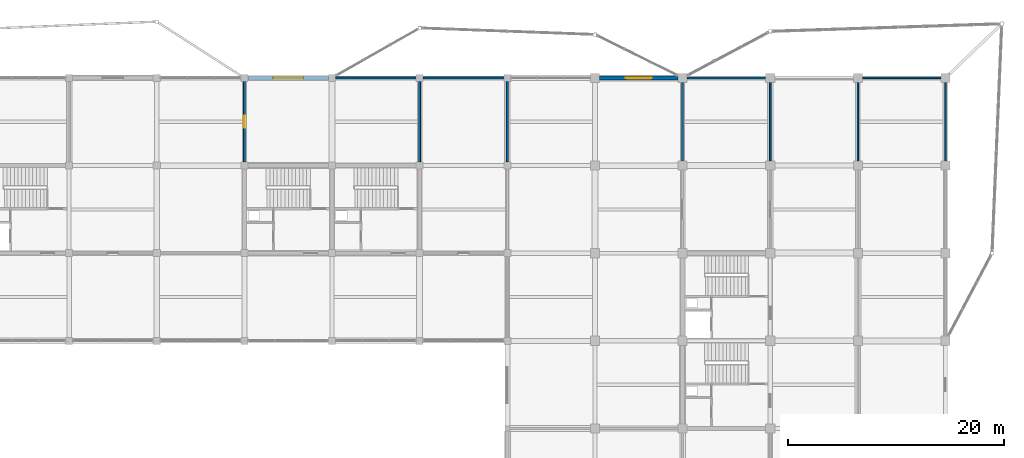
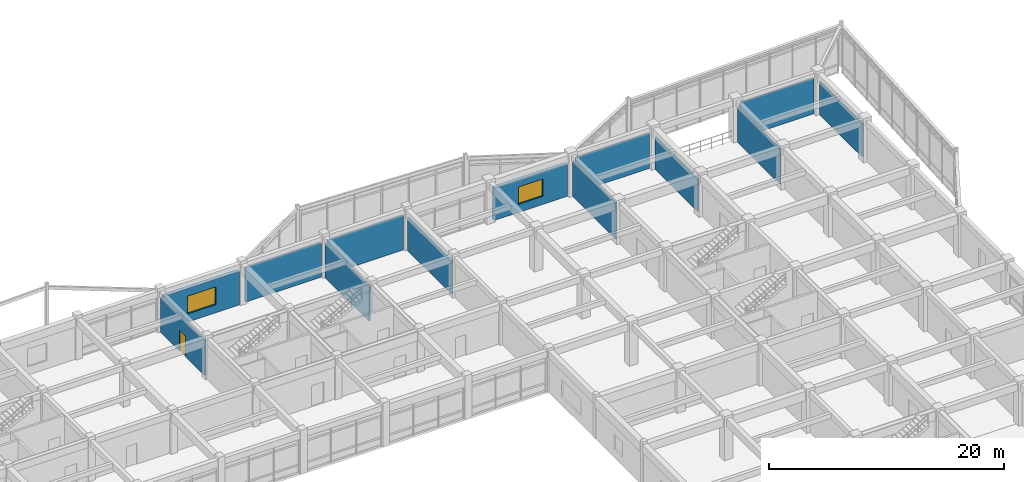
# One storey, part 74 of 93: 13 walls, 2 windows, 1 door, 3 openings.
"""IFC4 building model written with IfcOpenShell, lengths in metres."""

from ifc_helpers import new_model, si_unit, direction, frame, frame_2d, origin, place, context, subcontext, project, spatial, rectangle, extrude, material, layer, layer_set, type_object, element, fill, save


model = new_model("IFC4")

# Units and contexts
model_context = context("Model", 3, precision=1e-05, world=origin(), true_north=direction((0.0, 1.0)))
body_context = subcontext(model_context, "Body", "Model", "MODEL_VIEW")
ifc_project = project(units=[si_unit("LENGTHUNIT", "METRE"), si_unit("AREAUNIT", "SQUARE_METRE"), si_unit("VOLUMEUNIT", "CUBIC_METRE"), si_unit("PLANEANGLEUNIT", "RADIAN"), si_unit("MASSUNIT", "GRAM", prefix="KILO")], contexts=[model_context])

# Site, building, storey
site_placement = place(None, origin())
site = spatial("IfcSite", under=ifc_project, at=site_placement, CompositionType="ELEMENT")
building_placement = place(site_placement, origin())
building = spatial("IfcBuilding", under=site, at=building_placement, Name="Vaudrelin Polytechnic", CompositionType="ELEMENT")
storey_placement = place(building_placement, frame((0.0, 0.0, 5.10009765625)))
storey = spatial("IfcBuildingStorey", under=building, at=storey_placement, Name="L01", CompositionType="ELEMENT", Elevation=5.10009765625)

# Wall, opening, window
ifc_material_1 = material(Name="Precast concrete 35 MPa with terracotta baguette screen", Category="masonry")
ifc_layer_1 = layer(ifc_material_1, 0.35009765625)
ifc_layer_set_1 = layer_set([ifc_layer_1], Name="Precast concrete 35 MPa with terracotta baguette screen")
wall_type_1 = type_object("IfcWallType", Name="WAL-EW-TERR350", PredefinedType="STANDARD", material=ifc_layer_set_1)
wall_1_placement = place(storey_placement, frame((138.123046875, 121.5, 0.0), z_axis=(0.0, 0.0, 1.0), x_axis=(1.0, 0.0, 0.0)))
wall_1 = element("IfcWall", 1, at=wall_1_placement, inside=storey, type_object=wall_type_1, Name="Exterior wall L01 N_V4_01", PredefinedType="STANDARD", context=body_context, shape_type="SweptSolid", body=[
    extrude(rectangle(XDim=7.25390625, YDim=0.35009765625, at=frame_2d((3.626953125, 0.0))), origin(), (0.0, 0.0, 1.0), 3.36181640625),
])
opening_1_placement = place(wall_1_placement, frame((2.427001953125, 0.0, 0.85009765625)))
opening_1 = element("IfcOpeningElement", 2, at=opening_1_placement, cuts=wall_1, Name="Opening W-L01-N-V4-02", PredefinedType="OPENING", context=body_context, shape_type="SweptSolid", body=[
    extrude(rectangle(XDim=2.39990234375, YDim=1.800048828125, at=frame_2d((1.199951171875, 0.89990234375))), frame((0.0, 0.18505859375, 0.0), z_axis=(0.0, -1.0, 0.0), x_axis=(1.0, 0.0, 0.0)), (0.0, 0.0, 1.0), 0.3701171875),
])
ifc_material_2 = material(Name="Thermally broken aluminium frame with triple low-e glazing", Category="aluminium")
window_type_1 = type_object("IfcWindowType", Name="WIN-WN-01", PartitioningType="SINGLE_PANEL", PredefinedType="WINDOW", material=ifc_material_2)
window_1_placement = place(opening_1_placement, origin())
window_1 = element("IfcWindow", 3, at=window_1_placement, inside=storey, type_object=window_type_1, Name="Facade window L01-N_V4_01", OverallHeight=1.800048828125, OverallWidth=2.39990234375, PartitioningType="SINGLE_PANEL", PredefinedType="WINDOW", context=body_context, shape_type="SweptSolid", body=[
    extrude(rectangle(XDim=2.39990234375, YDim=1.800048828125, at=frame_2d((1.199951171875, 0.89990234375))), frame((0.0, 0.030029296875, 0.0), z_axis=(0.0, -1.0, 0.0), x_axis=(1.0, 0.0, 0.0)), (0.0, 0.0, 1.0), 0.06005859375),
])
fill(opening_1, window_1)

ifc_material_3 = material(Name="Precast concrete 35 MPa with standing-seam zinc rainscreen", Category="concrete")
ifc_layer_2 = layer(ifc_material_3, 0.360107421875)
ifc_layer_set_2 = layer_set([ifc_layer_2], Name="Precast concrete 35 MPa with standing-seam zinc rainscreen")
wall_type_2 = type_object("IfcWallType", Name="WAL-EW-ZINC360", PredefinedType="STANDARD", material=ifc_layer_set_2)
wall_2_placement = place(storey_placement, frame((105.623046875, 121.5, 0.0), z_axis=(0.0, 0.0, 1.0), x_axis=(1.0, 0.0, 0.0)))
wall_2 = element("IfcWall", 4, at=wall_2_placement, inside=storey, type_object=wall_type_2, Name="Exterior wall L01 N_V5_13", PredefinedType="STANDARD", context=body_context, shape_type="SweptSolid", body=[
    extrude(rectangle(XDim=7.453857421875, YDim=0.360107421875, at=frame_2d((3.72705078125, 0.0))), origin(), (0.0, 0.0, 1.0), 3.501953125),
])
opening_2_placement = place(wall_2_placement, frame((2.326904296875, 0.0, 0.85009765625)))
opening_2 = element("IfcOpeningElement", 5, at=opening_2_placement, cuts=wall_2, Name="Opening W-L01-N-V5-14", PredefinedType="OPENING", context=body_context, shape_type="SweptSolid", body=[
    extrude(rectangle(XDim=2.800048828125, YDim=1.85009765625, at=frame_2d((1.39990234375, 0.925048828125))), frame((0.0, 0.18994140625, 0.0), z_axis=(0.0, -1.0, 0.0), x_axis=(1.0, 0.0, 0.0)), (0.0, 0.0, 1.0), 0.380126953125),
])
window_type_2 = type_object("IfcWindowType", Name="WIN-WN-48", PartitioningType="SINGLE_PANEL", PredefinedType="WINDOW", material=ifc_material_2)
window_2_placement = place(opening_2_placement, origin())
window_2 = element("IfcWindow", 6, at=window_2_placement, inside=storey, type_object=window_type_2, Name="Facade window L01-N_V5_13", OverallHeight=1.85009765625, OverallWidth=2.800048828125, PartitioningType="SINGLE_PANEL", PredefinedType="WINDOW", context=body_context, shape_type="SweptSolid", body=[
    extrude(rectangle(XDim=2.800048828125, YDim=1.85009765625, at=frame_2d((1.39990234375, 0.925048828125))), frame((0.0, 0.030029296875, 0.0), z_axis=(0.0, -1.0, 0.0), x_axis=(1.0, 0.0, 0.0)), (0.0, 0.0, 1.0), 0.06005859375),
])
fill(opening_2, window_2)

# Wall, opening, door
ifc_material_4 = material(Name="Acoustic double-stud gypsum & mineral-wool partition", Category="gypsum")
ifc_layer_3 = layer(ifc_material_4, 0.179931640625)
ifc_layer_set_3 = layer_set([ifc_layer_3], Name="Acoustic double-stud gypsum & mineral-wool partition")
wall_type_3 = type_object("IfcWallType", Name="WAL-PW-AC180", PredefinedType="PARTITIONING", material=ifc_layer_set_3)
wall_3_placement = place(storey_placement, frame((105.300048828125, 113.722900390625, 0.0), z_axis=(0.0, 0.0, 1.0), x_axis=(0.0, 1.0, 0.0)))
wall_3 = element("IfcWall", 7, at=wall_3_placement, inside=storey, type_object=wall_type_3, Name="Partition L01-019 E", PredefinedType="PARTITIONING", context=body_context, shape_type="SweptSolid", body=[
    extrude(rectangle(XDim=7.4541015625, YDim=0.179931640625, at=frame_2d((3.72705078125, 0.0))), origin(), (0.0, 0.0, 1.0), 3.65185546875),
])
opening_3_placement = place(wall_3_placement, frame((3.18701171875, 0.0, 0.0)))
opening_3 = element("IfcOpeningElement", 8, at=opening_3_placement, cuts=wall_3, Name="Opening D-L01-470", PredefinedType="OPENING", context=body_context, shape_type="SweptSolid", body=[
    extrude(rectangle(XDim=1.080078125, YDim=2.14990234375, at=frame_2d((0.5400390625, 1.074951171875))), frame((0.0, 0.10009765625, 0.0), z_axis=(0.0, -1.0, 0.0), x_axis=(1.0, 0.0, 0.0)), (0.0, 0.0, 1.0), 0.199951171875),
])
ifc_material_5 = material(Name="Solid-core birch veneer acoustic leaf", Category="wood")
door_type = type_object("IfcDoorType", Name="DOR-ID-SEM2", OperationType="NOTDEFINED", PredefinedType="DOOR", material=ifc_material_5)
door_placement = place(opening_3_placement, origin())
door = element("IfcDoor", 9, at=door_placement, inside=storey, type_object=door_type, Name="Seminar Collaboration Alcove 102 door L01-037", OperationType="SINGLE_SWING_LEFT", OverallHeight=2.14990234375, OverallWidth=1.080078125, PredefinedType="DOOR", context=body_context, shape_type="SweptSolid", body=[
    extrude(rectangle(XDim=1.080078125, YDim=2.14990234375, at=frame_2d((0.5400390625, 1.074951171875))), frame((0.0, 0.02490234375, 0.0), z_axis=(0.0, -1.0, 0.0), x_axis=(1.0, 0.0, 0.0)), (0.0, 0.0, 1.0), 0.050048828125),
])
fill(opening_3, door)

# Walls
wall_4_placement = place(storey_placement, frame((129.60009765625, 113.722900390625, 0.0), z_axis=(0.0, 0.0, 1.0), x_axis=(0.0, 1.0, 0.0)))
element("IfcWall", 10, at=wall_4_placement, inside=storey, type_object=wall_type_3, Name="Partition L01-020 E", PredefinedType="PARTITIONING", context=body_context, shape_type="SweptSolid", body=[
    extrude(rectangle(XDim=7.4541015625, YDim=0.179931640625, at=frame_2d((3.72705078125, 0.0))), origin(), (0.0, 0.0, 1.0), 3.40185546875),
])
for number, where, z_axis, x_axis, name in (
    (11, (121.5, 113.722900390625, 0.0), (0.0, 0.0, 1.0), (0.0, 1.0, 0.0), "Partition L01-020 W"),
    (12, (121.822998046875, 121.5, 0.0), (0.0, 0.0, 1.0), (1.0, 0.0, 0.0), "Partition L01-020 N"),
    (13, (113.722900390625, 121.5, 0.0), (0.0, 0.0, 1.0), (1.0, 0.0, 0.0), "Partition L01-037 N"),
):
    element("IfcWall", number, at=place(storey_placement, frame(where, z_axis=z_axis, x_axis=x_axis)), inside=storey, type_object=wall_type_3, Name=name, PredefinedType="PARTITIONING", context=body_context, shape_type="SweptSolid", body=[
        extrude(rectangle(XDim=7.4541015625, YDim=0.179931640625, at=frame_2d((3.72705078125, 0.0))), origin(), (0.0, 0.0, 1.0), 3.601806640625),
    ])
ifc_material_6 = material(Name="Moisture- and chemical-resistant laboratory partition", Category="gypsum")
ifc_layer_4 = layer(ifc_material_6, 0.159912109375)
ifc_layer_set_4 = layer_set([ifc_layer_4], Name="Moisture- and chemical-resistant laboratory partition")
wall_type_4 = type_object("IfcWallType", Name="WAL-PW-LAB160", PredefinedType="PARTITIONING", material=ifc_layer_set_4)
wall_5_placement = place(storey_placement, frame((145.800048828125, 113.822998046875, 0.0), z_axis=(0.0, 0.0, 1.0), x_axis=(0.0, 1.0, 0.0)))
element("IfcWall", 14, at=wall_5_placement, inside=storey, type_object=wall_type_4, Name="Partition L01-025 E", PredefinedType="PARTITIONING", context=body_context, shape_type="SweptSolid", body=[
    extrude(rectangle(XDim=7.25390625, YDim=0.159912109375, at=frame_2d((3.626953125, 0.0))), origin(), (0.0, 0.0, 1.0), 3.7119140625),
])
wall_6_placement = place(storey_placement, frame((153.89990234375, 113.822998046875, 0.0), z_axis=(0.0, 0.0, 1.0), x_axis=(0.0, 1.0, 0.0)))
element("IfcWall", 15, at=wall_6_placement, inside=storey, type_object=wall_type_4, Name="Partition L01-026 E", PredefinedType="PARTITIONING", context=body_context, shape_type="SweptSolid", body=[
    extrude(rectangle(XDim=7.25390625, YDim=0.159912109375, at=frame_2d((3.626953125, 0.0))), origin(), (0.0, 0.0, 1.0), 3.36181640625),
])
wall_7_placement = place(storey_placement, frame((146.222900390625, 121.5, 0.0), z_axis=(0.0, 0.0, 1.0), x_axis=(1.0, 0.0, 0.0)))
element("IfcWall", 16, at=wall_7_placement, inside=storey, type_object=wall_type_4, Name="Partition L01-026 N", PredefinedType="PARTITIONING", context=body_context, shape_type="SweptSolid", body=[
    extrude(rectangle(XDim=7.254150390625, YDim=0.159912109375, at=frame_2d((3.626953125, 0.0))), origin(), (0.0, 0.0, 1.0), 3.661865234375),
])
ifc_material_7 = material(Name="Acoustic steel-stud office & study room partition", Category="steel")
ifc_layer_5 = layer(ifc_material_7, 0.135009765625)
ifc_layer_set_5 = layer_set([ifc_layer_5], Name="Acoustic steel-stud office & study room partition")
wall_type_5 = type_object("IfcWallType", Name="WAL-PW-OFF135", PredefinedType="PARTITIONING", material=ifc_layer_set_5)
wall_8_placement = place(storey_placement, frame((162.0, 113.822998046875, 0.0), z_axis=(0.0, 0.0, 1.0), x_axis=(0.0, 1.0, 0.0)))
element("IfcWall", 17, at=wall_8_placement, inside=storey, type_object=wall_type_5, Name="Partition L01-030 W", PredefinedType="PARTITIONING", context=body_context, shape_type="SweptSolid", body=[
    extrude(rectangle(XDim=7.25390625, YDim=0.135009765625, at=frame_2d((3.626953125, 0.0))), origin(), (0.0, 0.0, 1.0), 3.661865234375),
])
wall_9_placement = place(storey_placement, frame((162.423095703125, 121.5, 0.0), z_axis=(0.0, 0.0, 1.0), x_axis=(1.0, 0.0, 0.0)))
element("IfcWall", 18, at=wall_9_placement, inside=storey, type_object=wall_type_5, Name="Partition L01-030 N", PredefinedType="PARTITIONING", context=body_context, shape_type="SweptSolid", body=[
    extrude(rectangle(XDim=7.25390625, YDim=0.135009765625, at=frame_2d((3.626953125, 0.0))), origin(), (0.0, 0.0, 1.0), 3.7119140625),
])
wall_10_placement = place(storey_placement, frame((170.10009765625, 113.822998046875, 0.0), z_axis=(0.0, 0.0, 1.0), x_axis=(0.0, 1.0, 0.0)))
element("IfcWall", 19, at=wall_10_placement, inside=storey, type_object=wall_type_5, Name="Partition L01-030 E", PredefinedType="PARTITIONING", context=body_context, shape_type="SweptSolid", body=[
    extrude(rectangle(XDim=7.25390625, YDim=0.135009765625, at=frame_2d((3.626953125, 0.0))), origin(), (0.0, 0.0, 1.0), 3.4619140625),
])

save(model, "model.ifc")
